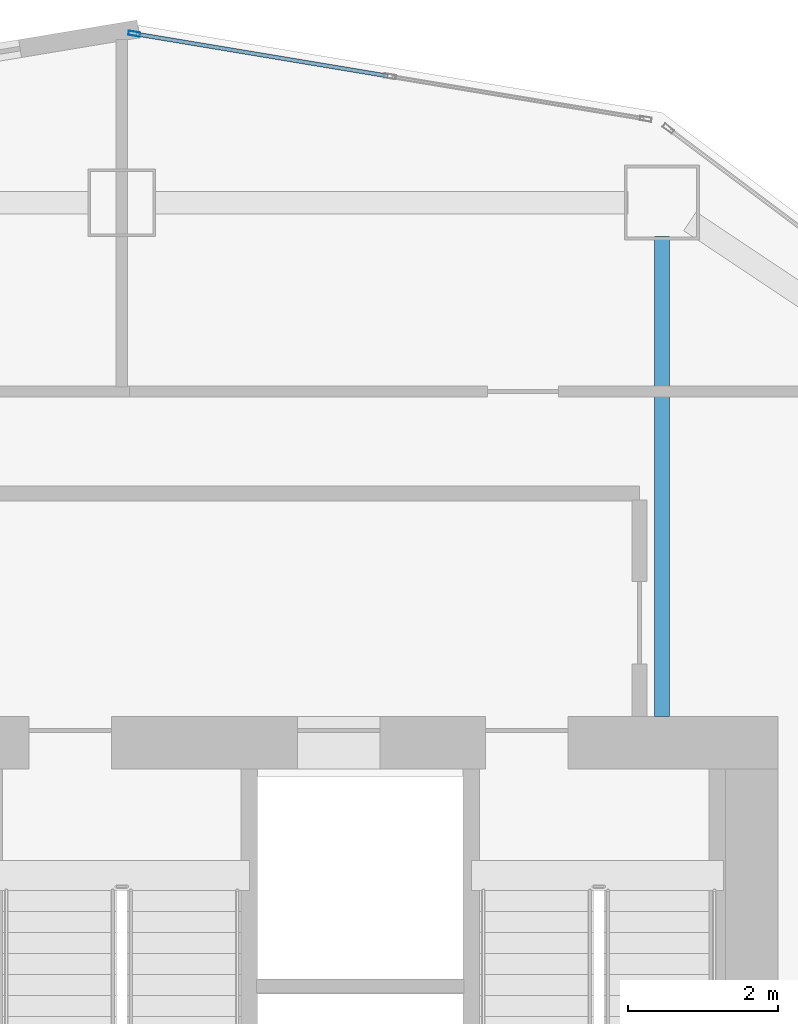
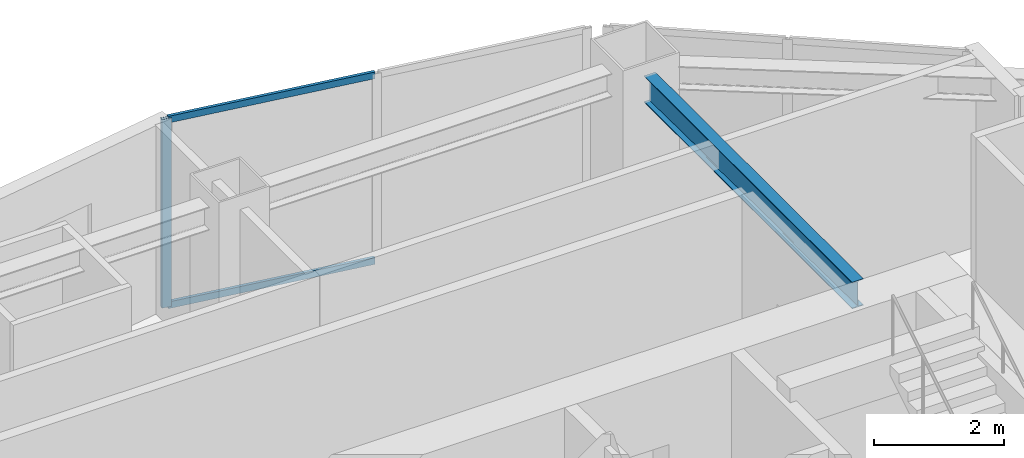
# One storey, part 2 of 15: 3 members, 1 beam, 1 element without a shape of its own.
"""IFC4 building model written with IfcOpenShell, lengths in metres."""

from ifc_helpers import new_model, si_unit, direction, frame, origin, origin_2d, place, context, subcontext, project, spatial, hollow_rectangle, i_section, extrude, material, layer, layer_set, material_profile, profile_set, type_object, element, aggregate, save


model = new_model("IFC4")

# Units and contexts
model_context = context("Model", 3, precision=1e-05, world=origin(), true_north=direction((0.0, 1.0)))
body_context = subcontext(model_context, "Body", "Model", "MODEL_VIEW")
ifc_project = project(units=[si_unit("LENGTHUNIT", "METRE"), si_unit("AREAUNIT", "SQUARE_METRE"), si_unit("VOLUMEUNIT", "CUBIC_METRE"), si_unit("PLANEANGLEUNIT", "RADIAN"), si_unit("MASSUNIT", "GRAM", prefix="KILO")], contexts=[model_context])

# Site, building, storey
site_placement = place(None, origin())
site = spatial("IfcSite", under=ifc_project, at=site_placement, CompositionType="ELEMENT")
building_placement = place(site_placement, origin())
building = spatial("IfcBuilding", under=site, at=building_placement, Name="Haolan Belvedere Tower", CompositionType="ELEMENT")
storey_placement = place(building_placement, frame((0.0, 0.0, 156.199951171875)))
storey = spatial("IfcBuildingStorey", under=building, at=storey_placement, Name="L39", CompositionType="ELEMENT", Elevation=156.199951171875)

# Beam
ifc_material_1 = material(Name="Steel Q355B", Category="steel")
ifc_material_profile_1 = material_profile(ifc_material_1, i_section(OverallWidth=0.199951171875, OverallDepth=0.5, WebThickness=0.010009765625, FlangeThickness=0.01611328125, FilletRadius=0.02001953125, at=origin_2d()), Name="Steel Q355B")
ifc_profile_set_1 = profile_set([ifc_material_profile_1], Name="Steel Q355B")
beam_type = type_object("IfcBeamType", Name="BM-HN500x200x10x16", PredefinedType="BEAM", material=ifc_profile_set_1)
beam_placement = place(storey_placement, frame((45.60009765625, 49.949951171875, 3.2900390625), z_axis=(0.0, -1.0, 0.0), x_axis=(1.0, 0.0, 0.0)))
element("IfcBeam", 1, at=beam_placement, inside=storey, type_object=beam_type, Name="L39 core tie beam from MC-T3-N2", PredefinedType="BEAM", context=body_context, shape_type="SweptSolid", body=[
    extrude(i_section(OverallWidth=0.199951171875, OverallDepth=0.5, WebThickness=0.010009765625, FlangeThickness=0.01611328125, FilletRadius=0.02001953125, at=origin_2d()), origin(), (0.0, 0.0, 1.0), 6.39990234375),
])

# Curtain wall, members
ifc_material_2 = material(Name="Anodised champagne-silver aluminium 6063-T6 and Low-E glass", Category="aluminium")
ifc_layer = layer(ifc_material_2, 0.155029296875, Name="Anodised champagne-silver aluminium 6063-T6 and Low-E glass")
ifc_layer_set = layer_set([ifc_layer], Name="Anodised champagne-silver aluminium 6063-T6 and Low-E glass")
curtain_wall_type = type_object("IfcCurtainWallType", Name="CW-SYS-03", PredefinedType="NOTDEFINED", material=ifc_layer_set)
curtain_wall_placement = place(storey_placement, origin())
curtain_wall = element("IfcCurtainWall", 2, at=curtain_wall_placement, inside=storey, type_object=curtain_wall_type, Name="L39 CW-SYS-03 ribbon curtain wall 27.1", PredefinedType="NOTDEFINED")
ifc_material_3 = material(Name="Anodised aluminium 6063-T6", Category="aluminium")
ifc_material_profile_2 = material_profile(ifc_material_3, hollow_rectangle(XDim=0.05810546875, YDim=0.155029296875, WallThickness=0.00390625, at=origin_2d()), Name="Anodised aluminium 6063-T6")
ifc_profile_set_2 = profile_set([ifc_material_profile_2], Name="Anodised aluminium 6063-T6")
member_type_1 = type_object("IfcMemberType", Name="CW-SYS-03-MUL", PredefinedType="MULLION", material=ifc_profile_set_2)
member_1_placement = place(storey_placement, frame((38.566650390625, 52.650634765625, 0.0), z_axis=(0.0, 0.0, 1.0), x_axis=(-0.16440364043, -0.9863931483, 0.0)))
member_1 = element("IfcMember", 3, at=member_1_placement, type_object=member_type_1, Name="CW-03 mullion 3", PredefinedType="MULLION", context=body_context, shape_type="SweptSolid", body=[
    extrude(hollow_rectangle(XDim=0.05810546875, YDim=0.155029296875, WallThickness=0.00390625, at=origin_2d()), origin(), (0.0, 0.0, 1.0), 3.5400390625),
])
ifc_material_profile_3 = material_profile(ifc_material_3, hollow_rectangle(XDim=0.053955078125, YDim=0.125, WallThickness=0.00390625, at=origin_2d()), Name="Anodised aluminium 6063-T6")
ifc_profile_set_3 = profile_set([ifc_material_profile_3], Name="Anodised aluminium 6063-T6")
member_type_2 = type_object("IfcMemberType", Name="CW-SYS-03-TRN", PredefinedType="USERDEFINED", material=ifc_profile_set_3)
member_2_placement = place(storey_placement, frame((41.947021484375, 52.087158203125, 0.027099609375), z_axis=(-0.986395865591, 0.16438733633, 0.0), x_axis=(-0.16438733633, -0.986395865591, 0.0)))
member_2 = element("IfcMember", 4, at=member_2_placement, type_object=member_type_2, Name="CW-03 transom 2.1", ObjectType="TRANSOM", PredefinedType="USERDEFINED", context=body_context, shape_type="SweptSolid", body=[
    extrude(hollow_rectangle(XDim=0.053955078125, YDim=0.125, WallThickness=0.00390625, at=origin_2d()), origin(), (0.0, 0.0, 1.0), 3.39794921875),
])
member_3_placement = place(storey_placement, frame((41.947021484375, 52.087158203125, 3.512939453125), z_axis=(-0.986395865591, 0.16438733633, 0.0), x_axis=(-0.16438733633, -0.986395865591, 0.0)))
member_3 = element("IfcMember", 5, at=member_3_placement, type_object=member_type_2, Name="CW-03 transom 2.2", ObjectType="TRANSOM", PredefinedType="USERDEFINED", context=body_context, shape_type="SweptSolid", body=[
    extrude(hollow_rectangle(XDim=0.053955078125, YDim=0.125, WallThickness=0.00390625, at=origin_2d()), origin(), (0.0, 0.0, 1.0), 3.39794921875),
])
aggregate(curtain_wall, [member_1, member_2, member_3])

save(model, "model.ifc")
